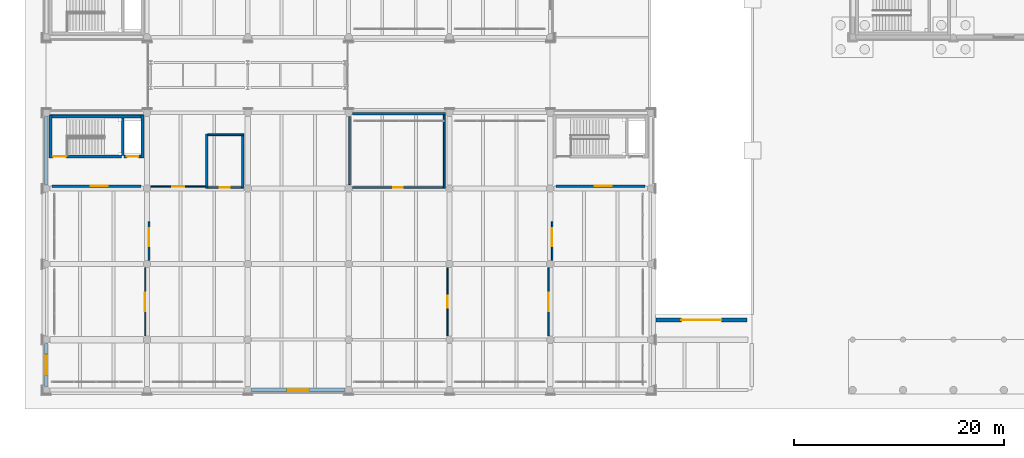
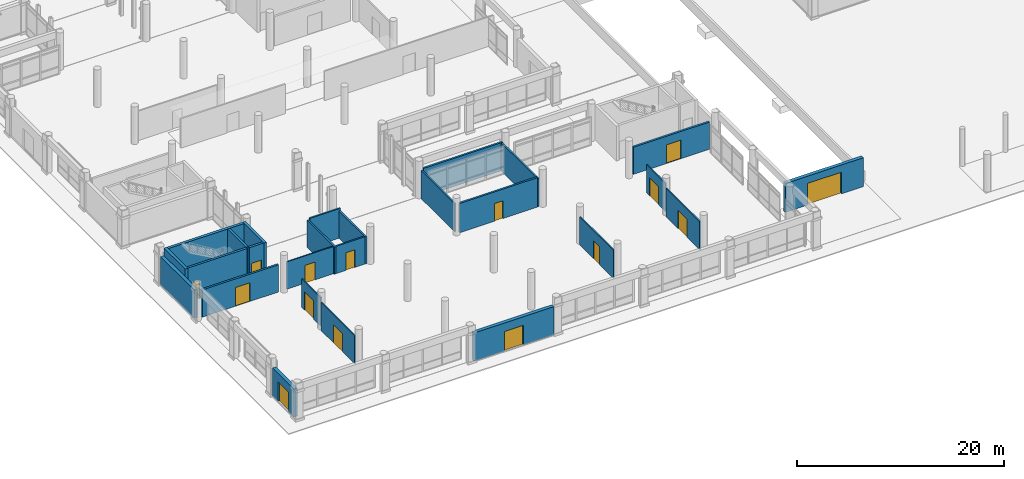
# One storey, part 158 of 196: 27 walls, 15 doors, 15 openings.
"""IFC4 building model written with IfcOpenShell, lengths in metres."""

from ifc_helpers import new_model, si_unit, direction, frame, frame_2d, origin, place, context, subcontext, project, spatial, rectangle, extrude, material, layer, layer_set, type_object, element, fill, save


model = new_model("IFC4")

# Units and contexts
model_context = context("Model", 3, precision=1e-05, world=origin(), true_north=direction((0.0, 1.0)))
body_context = subcontext(model_context, "Body", "Model", "MODEL_VIEW")
ifc_project = project(units=[si_unit("LENGTHUNIT", "METRE"), si_unit("AREAUNIT", "SQUARE_METRE"), si_unit("VOLUMEUNIT", "CUBIC_METRE"), si_unit("PLANEANGLEUNIT", "RADIAN"), si_unit("MASSUNIT", "GRAM", prefix="KILO")], contexts=[model_context])

# Site, building, storey
site_placement = place(None, origin())
site = spatial("IfcSite", under=ifc_project, at=site_placement, CompositionType="ELEMENT")
building_placement = place(site_placement, origin())
building = spatial("IfcBuilding", under=site, at=building_placement, Name="Asteropetra Specialist Clinic", CompositionType="ELEMENT")
storey_placement = place(building_placement, origin())
storey = spatial("IfcBuildingStorey", under=building, at=storey_placement, Name="L00", CompositionType="ELEMENT", Elevation=0.0)

# Wall
ifc_material_1 = material(Name="Pentelic marble ashlar", Category="masonry")
ifc_layer_1 = layer(ifc_material_1, 0.3798828125)
ifc_layer_set_1 = layer_set([ifc_layer_1], Name="Pentelic marble ashlar")
wall_type_1 = type_object("IfcWallType", Name="EW-PENTELIC-380", PredefinedType="SOLIDWALL", material=ifc_layer_set_1)
wall_1_placement = place(storey_placement, frame((9.25, 26.39990234375, 0.0), z_axis=(0.0, 0.0, 1.0), x_axis=(-1.0, 0.0, 0.0)))
element("IfcWall", 1, at=wall_1_placement, inside=storey, type_object=wall_type_1, Name="Exterior Wall EW-0031", PredefinedType="SOLIDWALL", context=body_context, shape_type="SweptSolid", body=[
    extrude(rectangle(XDim=8.89990234375, YDim=0.3798828125, at=frame_2d((4.449951171875, 0.0))), origin(), (0.0, 0.0, 1.0), 3.31005859375),
])

# Wall, opening, door
wall_2_placement = place(storey_placement, frame((19.550048828125, 0.0, 0.0), z_axis=(0.0, 0.0, 1.0), x_axis=(1.0, 0.0, 0.0)))
wall_2 = element("IfcWall", 2, at=wall_2_placement, inside=storey, type_object=wall_type_1, Name="Exterior Wall EW-0032", PredefinedType="SOLIDWALL", context=body_context, shape_type="SweptSolid", body=[
    extrude(rectangle(XDim=8.89990234375, YDim=0.3798828125, at=frame_2d((4.449951171875, 0.0))), origin(), (0.0, 0.0, 1.0), 3.31005859375),
])
opening_1_placement = place(wall_2_placement, frame((3.39990234375, 0.0, 0.0)))
opening_1 = element("IfcOpeningElement", 3, at=opening_1_placement, cuts=wall_2, Name="Opening ED-005", PredefinedType="OPENING", context=body_context, shape_type="SweptSolid", body=[
    extrude(rectangle(XDim=2.10009765625, YDim=2.300048828125, at=frame_2d((1.050048828125, 1.14990234375))), frame((0.0, 0.199951171875, 0.0), z_axis=(0.0, -1.0, 0.0), x_axis=(1.0, 0.0, 0.0)), (0.0, 0.0, 1.0), 0.39990234375),
])
ifc_material_2 = material(Name="Bronze aluminium and safety glass", Category="aluminium")
door_type_1 = type_object("IfcDoorType", Name="EDR-EXIT-2100", OperationType="DOUBLE_DOOR_SINGLE_SWING", PredefinedType="DOOR", material=ifc_material_2)
door_1_placement = place(opening_1_placement, origin())
door_1 = element("IfcDoor", 4, at=door_1_placement, inside=storey, type_object=door_type_1, Name="Exterior Door ED-005", OperationType="DOUBLE_DOOR_SINGLE_SWING", OverallHeight=2.300048828125, OverallWidth=2.10009765625, PredefinedType="DOOR", context=body_context, shape_type="SweptSolid", body=[
    extrude(rectangle(XDim=2.10009765625, YDim=2.300048828125, at=frame_2d((1.050048828125, 1.14990234375))), frame((0.0, 0.02490234375, 0.0), z_axis=(0.0, -1.0, 0.0), x_axis=(1.0, 0.0, 0.0)), (0.0, 0.0, 1.0), 0.050048828125),
])
fill(opening_1, door_1)

wall_3_placement = place(storey_placement, frame((0.0, 4.449951171875, 0.0), z_axis=(0.0, 0.0, 1.0), x_axis=(0.0, -1.0, 0.0)))
wall_3 = element("IfcWall", 5, at=wall_3_placement, inside=storey, type_object=wall_type_1, Name="Exterior Wall EW-0034", PredefinedType="SOLIDWALL", context=body_context, shape_type="SweptSolid", body=[
    extrude(rectangle(XDim=4.099853515625, YDim=0.3798828125, at=frame_2d((2.0498046875, 0.0))), origin(), (0.0, 0.0, 1.0), 3.31005859375),
])
opening_2_placement = place(wall_3_placement, frame((1.050048828125, 0.0, 0.0)))
opening_2 = element("IfcOpeningElement", 6, at=opening_2_placement, cuts=wall_3, Name="Opening ED-006", PredefinedType="OPENING", context=body_context, shape_type="SweptSolid", body=[
    extrude(rectangle(XDim=2.0, YDim=2.300048828125, at=frame_2d((1.0, 1.14990234375))), frame((0.0, 0.199951171875, 0.0), z_axis=(0.0, -1.0, 0.0), x_axis=(1.0, 0.0, 0.0)), (0.0, 0.0, 1.0), 0.39990234375),
])
ifc_material_3 = material(Name="Bronze aluminium and safety glass", Category="aluminium")
door_type_2 = type_object("IfcDoorType", Name="EDR-EXIT-2000", OperationType="DOUBLE_DOOR_SINGLE_SWING", PredefinedType="DOOR", material=ifc_material_3)
door_2_placement = place(opening_2_placement, origin())
door_2 = element("IfcDoor", 7, at=door_2_placement, inside=storey, type_object=door_type_2, Name="Exterior Door ED-006", OperationType="DOUBLE_DOOR_SINGLE_SWING", OverallHeight=2.300048828125, OverallWidth=2.0, PredefinedType="DOOR", context=body_context, shape_type="SweptSolid", body=[
    extrude(rectangle(XDim=2.0, YDim=2.300048828125, at=frame_2d((1.0, 1.14990234375))), frame((0.0, 0.02490234375, 0.0), z_axis=(0.0, -1.0, 0.0), x_axis=(1.0, 0.0, 0.0)), (0.0, 0.0, 1.0), 0.050048828125),
])
fill(opening_2, door_2)

# Wall
wall_4_placement = place(storey_placement, frame((0.0, 26.050048828125, 0.0), z_axis=(0.0, 0.0, 1.0), x_axis=(0.0, -1.0, 0.0)))
element("IfcWall", 8, at=wall_4_placement, inside=storey, type_object=wall_type_1, Name="Exterior Wall EW-0035", PredefinedType="SOLIDWALL", context=body_context, shape_type="SweptSolid", body=[
    extrude(rectangle(XDim=6.5, YDim=0.3798828125, at=frame_2d((3.25, 0.0))), origin(), (0.0, 0.0, 1.0), 3.31005859375),
])

# Wall, opening, door
wall_5_placement = place(storey_placement, frame((58.050048828125, 6.64990234375, 0.0), z_axis=(0.0, 0.0, 1.0), x_axis=(1.0, 0.0, 0.0)))
wall_5 = element("IfcWall", 9, at=wall_5_placement, inside=storey, type_object=wall_type_1, Name="Garage Ramp Portal Wall EW-RMP-01", PredefinedType="SOLIDWALL", context=body_context, shape_type="SweptSolid", body=[
    extrude(rectangle(XDim=8.699951171875, YDim=0.3798828125, at=frame_2d((4.35009765625, 0.0))), origin(), (0.0, 0.0, 1.0), 3.39990234375),
])
opening_3_placement = place(wall_5_placement, frame((2.449951171875, 0.0, 0.0)))
opening_3 = element("IfcOpeningElement", 10, at=opening_3_placement, cuts=wall_5, Name="Opening GD-RMP-01", PredefinedType="OPENING", context=body_context, shape_type="SweptSolid", body=[
    extrude(rectangle(XDim=3.800048828125, YDim=2.550048828125, at=frame_2d((1.89990234375, 1.27490234375))), frame((0.0, 0.199951171875, 0.0), z_axis=(0.0, -1.0, 0.0), x_axis=(1.0, 0.0, 0.0)), (0.0, 0.0, 1.0), 0.39990234375),
])
ifc_material_4 = material(Name="Insulated powder-coated steel shutter", Category="steel")
door_type_3 = type_object("IfcDoorType", Name="EDR-RAMP-3800", OperationType="ROLLINGUP", PredefinedType="GATE", material=ifc_material_4)
door_3_placement = place(opening_3_placement, origin())
door_3 = element("IfcDoor", 11, at=door_3_placement, inside=storey, type_object=door_type_3, Name="Basement Garage Shutter GD-RMP-01", OperationType="ROLLINGUP", OverallHeight=2.550048828125, OverallWidth=3.800048828125, PredefinedType="GATE", context=body_context, shape_type="SweptSolid", body=[
    extrude(rectangle(XDim=3.800048828125, YDim=2.550048828125, at=frame_2d((1.89990234375, 1.27490234375))), frame((0.0, 0.02490234375, 0.0), z_axis=(0.0, -1.0, 0.0), x_axis=(1.0, 0.0, 0.0)), (0.0, 0.0, 1.0), 0.050048828125),
])
fill(opening_3, door_3)

ifc_material_5 = material(Name="Fire-rated masonry and gypsum", Category="masonry")
ifc_layer_2 = layer(ifc_material_5, 0.219970703125)
ifc_layer_set_2 = layer_set([ifc_layer_2], Name="Fire-rated masonry and gypsum")
wall_type_2 = type_object("IfcWallType", Name="W-COMP-220", PredefinedType="PARTITIONING", material=ifc_layer_set_2)
wall_6_placement = place(storey_placement, frame((0.56005859375, 19.419921875, 0.0), z_axis=(0.0, 0.0, 1.0), x_axis=(1.0, 0.0, 0.0)))
wall_6 = element("IfcWall", 12, at=wall_6_placement, inside=storey, type_object=wall_type_2, Name="Core Wall CW-C6-L00-LOB", PredefinedType="PARTITIONING", context=body_context, shape_type="SweptSolid", body=[
    extrude(rectangle(XDim=8.47998046875, YDim=0.219970703125, at=frame_2d((4.239990234375, 0.0))), origin(), (0.0, 0.0, 1.0), 3.2099609375),
])
opening_4_placement = place(wall_6_placement, frame((3.699951171875, 0.0, 0.0)))
opening_4 = element("IfcOpeningElement", 13, at=opening_4_placement, cuts=wall_6, Name="Opening FD-056", PredefinedType="OPENING", context=body_context, shape_type="SweptSolid", body=[
    extrude(rectangle(XDim=1.60009765625, YDim=2.199951171875, at=frame_2d((0.800048828125, 1.10009765625))), frame((0.0, 0.119873046875, 0.0), z_axis=(0.0, -1.0, 0.0), x_axis=(1.0, 0.0, 0.0)), (0.0, 0.0, 1.0), 0.239990234375),
])
ifc_material_6 = material(Name="Fire-rated steel and vision glass door", Category="steel")
door_type_4 = type_object("IfcDoorType", Name="FD-LOBBY-1600", OperationType="DOUBLE_DOOR_SINGLE_SWING", PredefinedType="DOOR", material=ifc_material_6)
door_4_placement = place(opening_4_placement, origin())
door_4 = element("IfcDoor", 14, at=door_4_placement, inside=storey, type_object=door_type_4, Name="Lobby Fire Door FD-056", OperationType="DOUBLE_DOOR_SINGLE_SWING", OverallHeight=2.199951171875, OverallWidth=1.60009765625, PredefinedType="DOOR", context=body_context, shape_type="SweptSolid", body=[
    extrude(rectangle(XDim=1.60009765625, YDim=2.199951171875, at=frame_2d((0.800048828125, 1.10009765625))), frame((0.0, 0.02490234375, 0.0), z_axis=(0.0, -1.0, 0.0), x_axis=(1.0, 0.0, 0.0)), (0.0, 0.0, 1.0), 0.050048828125),
])
fill(opening_4, door_4)

wall_7_placement = place(storey_placement, frame((48.56005859375, 19.419921875, 0.0), z_axis=(0.0, 0.0, 1.0), x_axis=(1.0, 0.0, 0.0)))
wall_7 = element("IfcWall", 15, at=wall_7_placement, inside=storey, type_object=wall_type_2, Name="Core Wall CW-C7-L00-LOB", PredefinedType="PARTITIONING", context=body_context, shape_type="SweptSolid", body=[
    extrude(rectangle(XDim=8.47998046875, YDim=0.219970703125, at=frame_2d((4.239990234375, 0.0))), origin(), (0.0, 0.0, 1.0), 3.2099609375),
])
opening_5_placement = place(wall_7_placement, frame((3.699951171875, 0.0, 0.0)))
opening_5 = element("IfcOpeningElement", 16, at=opening_5_placement, cuts=wall_7, Name="Opening FD-062", PredefinedType="OPENING", context=body_context, shape_type="SweptSolid", body=[
    extrude(rectangle(XDim=1.60009765625, YDim=2.199951171875, at=frame_2d((0.800048828125, 1.10009765625))), frame((0.0, 0.119873046875, 0.0), z_axis=(0.0, -1.0, 0.0), x_axis=(1.0, 0.0, 0.0)), (0.0, 0.0, 1.0), 0.239990234375),
])
door_5_placement = place(opening_5_placement, origin())
door_5 = element("IfcDoor", 17, at=door_5_placement, inside=storey, type_object=door_type_4, Name="Lobby Fire Door FD-062", OperationType="DOUBLE_DOOR_SINGLE_SWING", OverallHeight=2.199951171875, OverallWidth=1.60009765625, PredefinedType="DOOR", context=body_context, shape_type="SweptSolid", body=[
    extrude(rectangle(XDim=1.60009765625, YDim=2.199951171875, at=frame_2d((0.800048828125, 1.10009765625))), frame((0.0, 0.02490234375, 0.0), z_axis=(0.0, -1.0, 0.0), x_axis=(1.0, 0.0, 0.0)), (0.0, 0.0, 1.0), 0.050048828125),
])
fill(opening_5, door_5)

# Walls
ifc_material_7 = material(Name="Concrete C35/45", Category="concrete")
ifc_layer_3 = layer(ifc_material_7, 0.300048828125)
ifc_layer_set_3 = layer_set([ifc_layer_3], Name="Concrete C35/45")
wall_type_3 = type_object("IfcWallType", Name="W-CORE-300", PredefinedType="SHEAR", material=ifc_layer_set_3)
for number, where, z_axis, x_axis, name in (
    (18, (0.419921875, 22.090087890625, 0.0), (0.0, 0.0, 1.0), (0.0, 1.0, 0.0), "Core Wall CW-C6-L00-W"),
    (19, (9.179931640625, 22.090087890625, 0.0), (0.0, 0.0, 1.0), (0.0, 1.0, 0.0), "Core Wall CW-C6-L00-E"),
):
    element("IfcWall", number, at=place(storey_placement, frame(where, z_axis=z_axis, x_axis=x_axis)), inside=storey, type_object=wall_type_3, Name=name, PredefinedType="SHEAR", context=body_context, shape_type="SweptSolid", body=[
        extrude(rectangle(XDim=4.099853515625, YDim=0.300048828125, at=frame_2d((2.0498046875, 0.0))), origin(), (0.0, 0.0, 1.0), 4.080078125),
    ])
wall_8_placement = place(storey_placement, frame((0.56494140625, 26.0400390625, 0.0), z_axis=(0.0, 0.0, 1.0), x_axis=(1.0, 0.0, 0.0)))
element("IfcWall", 20, at=wall_8_placement, inside=storey, type_object=wall_type_3, Name="Core Wall CW-C6-L00-BACK", PredefinedType="SHEAR", context=body_context, shape_type="SweptSolid", body=[
    extrude(rectangle(XDim=8.469970703125, YDim=0.300048828125, at=frame_2d((4.23486328125, 0.0))), origin(), (0.0, 0.0, 1.0), 4.080078125),
])

# Wall, opening, door
ifc_material_8 = material(Name="Light partition", Category="masonry")
ifc_layer_4 = layer(ifc_material_8, 0.1201171875)
ifc_layer_set_4 = layer_set([ifc_layer_4], Name="Light partition")
wall_type_4 = type_object("IfcWallType", Name="W-PART-120", PredefinedType="PARTITIONING", material=ifc_layer_set_4)
wall_9_placement = place(storey_placement, frame((9.419921875, 5.155029296875, 0.0), z_axis=(0.0, 0.0, 1.0), x_axis=(0.0, 1.0, 0.0)))
wall_9 = element("IfcWall", 21, at=wall_9_placement, inside=storey, type_object=wall_type_4, Name="Interior Partition PW-0049", PredefinedType="PARTITIONING", context=body_context, shape_type="SweptSolid", body=[
    extrude(rectangle(XDim=6.489990234375, YDim=0.1201171875, at=frame_2d((3.2451171875, 0.0))), origin(), (0.0, 0.0, 1.0), 3.31005859375),
])
opening_6_placement = place(wall_9_placement, frame((2.3701171875, 0.0, 0.0)))
opening_6 = element("IfcOpeningElement", 22, at=opening_6_placement, cuts=wall_9, Name="Opening ID-0023", PredefinedType="OPENING", context=body_context, shape_type="SweptSolid", body=[
    extrude(rectangle(XDim=1.75, YDim=2.14990234375, at=frame_2d((0.875, 1.074951171875))), frame((0.0, 0.070068359375, 0.0), z_axis=(0.0, -1.0, 0.0), x_axis=(1.0, 0.0, 0.0)), (0.0, 0.0, 1.0), 0.14013671875),
])
ifc_material_9 = material(Name="Antimicrobial laminate timber leaf in steel frame", Category="steel")
door_type_5 = type_object("IfcDoorType", Name="ID-IMG-1750", OperationType="DOUBLE_DOOR_SINGLE_SWING", PredefinedType="DOOR", material=ifc_material_9)
door_6_placement = place(opening_6_placement, origin())
door_6 = element("IfcDoor", 23, at=door_6_placement, inside=storey, type_object=door_type_5, Name="Interior Door ID-0023", OperationType="DOUBLE_DOOR_SINGLE_SWING", OverallHeight=2.14990234375, OverallWidth=1.75, PredefinedType="DOOR", context=body_context, shape_type="SweptSolid", body=[
    extrude(rectangle(XDim=1.75, YDim=2.14990234375, at=frame_2d((0.875, 1.074951171875))), frame((0.0, 0.02490234375, 0.0), z_axis=(0.0, -1.0, 0.0), x_axis=(1.0, 0.0, 0.0)), (0.0, 0.0, 1.0), 0.050048828125),
])
fill(opening_6, door_6)

ifc_material_10 = material(Name="Office and seminar partition", Category="masonry")
ifc_layer_5 = layer(ifc_material_10, 0.1298828125)
ifc_layer_set_5 = layer_set([ifc_layer_5], Name="Office and seminar partition")
wall_type_5 = type_object("IfcWallType", Name="W-PART-130", PredefinedType="PARTITIONING", material=ifc_layer_set_5)
wall_10_placement = place(storey_placement, frame((38.219970703125, 5.155029296875, 0.0), z_axis=(0.0, 0.0, 1.0), x_axis=(0.0, 1.0, 0.0)))
wall_10 = element("IfcWall", 24, at=wall_10_placement, inside=storey, type_object=wall_type_5, Name="Interior Partition PW-0048", PredefinedType="PARTITIONING", context=body_context, shape_type="SweptSolid", body=[
    extrude(rectangle(XDim=6.489990234375, YDim=0.1298828125, at=frame_2d((3.2451171875, 0.0))), origin(), (0.0, 0.0, 1.0), 3.31005859375),
])
opening_7_placement = place(wall_10_placement, frame((2.669921875, 0.0, 0.0)))
opening_7 = element("IfcOpeningElement", 25, at=opening_7_placement, cuts=wall_10, Name="Opening ID-0022", PredefinedType="OPENING", context=body_context, shape_type="SweptSolid", body=[
    extrude(rectangle(XDim=1.14990234375, YDim=2.10009765625, at=frame_2d((0.574951171875, 1.050048828125))), frame((0.0, 0.074951171875, 0.0), z_axis=(0.0, -1.0, 0.0), x_axis=(1.0, 0.0, 0.0)), (0.0, 0.0, 1.0), 0.14990234375),
])
ifc_material_11 = material(Name="Antimicrobial laminate timber leaf in steel frame", Category="steel")
door_type_6 = type_object("IfcDoorType", Name="ID-CONS-1150", OperationType="SINGLE_SWING_LEFT", PredefinedType="DOOR", material=ifc_material_11)
door_7_placement = place(opening_7_placement, origin())
door_7 = element("IfcDoor", 26, at=door_7_placement, inside=storey, type_object=door_type_6, Name="Interior Door ID-0022", OperationType="SINGLE_SWING_LEFT", OverallHeight=2.10009765625, OverallWidth=1.14990234375, PredefinedType="DOOR", context=body_context, shape_type="SweptSolid", body=[
    extrude(rectangle(XDim=1.14990234375, YDim=2.10009765625, at=frame_2d((0.574951171875, 1.050048828125))), frame((0.0, 0.02490234375, 0.0), z_axis=(0.0, -1.0, 0.0), x_axis=(1.0, 0.0, 0.0)), (0.0, 0.0, 1.0), 0.050048828125),
])
fill(opening_7, door_7)

wall_11_placement = place(storey_placement, frame((9.955078125, 19.3798828125, 0.0), z_axis=(0.0, 0.0, 1.0), x_axis=(1.0, 0.0, 0.0)))
wall_11 = element("IfcWall", 27, at=wall_11_placement, inside=storey, type_object=wall_type_5, Name="Interior Partition PW-0053", PredefinedType="PARTITIONING", context=body_context, shape_type="SweptSolid", body=[
    extrude(rectangle(XDim=5.23291015625, YDim=0.1298828125, at=frame_2d((2.616455078125, 0.0))), origin(), (0.0, 0.0, 1.0), 3.2099609375),
])
opening_8_placement = place(wall_11_placement, frame((2.056396484375, 0.0, 0.0)))
opening_8 = element("IfcOpeningElement", 28, at=opening_8_placement, cuts=wall_11, Name="Opening ID-0027", PredefinedType="OPENING", context=body_context, shape_type="SweptSolid", body=[
    extrude(rectangle(XDim=1.1201171875, YDim=2.10009765625, at=frame_2d((0.56005859375, 1.050048828125))), frame((0.0, 0.074951171875, 0.0), z_axis=(0.0, -1.0, 0.0), x_axis=(1.0, 0.0, 0.0)), (0.0, 0.0, 1.0), 0.14990234375),
])
ifc_material_12 = material(Name="Antimicrobial laminate timber leaf in steel frame", Category="steel")
door_type_7 = type_object("IfcDoorType", Name="ID-EXAM-1120", OperationType="SINGLE_SWING_RIGHT", PredefinedType="DOOR", material=ifc_material_12)
door_8_placement = place(opening_8_placement, origin())
door_8 = element("IfcDoor", 29, at=door_8_placement, inside=storey, type_object=door_type_7, Name="Interior Door ID-0027", OperationType="SINGLE_SWING_RIGHT", OverallHeight=2.10009765625, OverallWidth=1.1201171875, PredefinedType="DOOR", context=body_context, shape_type="SweptSolid", body=[
    extrude(rectangle(XDim=1.1201171875, YDim=2.10009765625, at=frame_2d((0.56005859375, 1.050048828125))), frame((0.0, 0.02490234375, 0.0), z_axis=(0.0, -1.0, 0.0), x_axis=(1.0, 0.0, 0.0)), (0.0, 0.0, 1.0), 0.050048828125),
])
fill(opening_8, door_8)

ifc_material_13 = material(Name="Laboratory partition", Category="masonry")
ifc_layer_6 = layer(ifc_material_13, 0.139892578125)
ifc_layer_set_6 = layer_set([ifc_layer_6], Name="Laboratory partition")
wall_type_6 = type_object("IfcWallType", Name="W-PART-140", PredefinedType="PARTITIONING", material=ifc_layer_set_6)
wall_12_placement = place(storey_placement, frame((48.179931640625, 12.35498046875, 0.0), z_axis=(0.0, 0.0, 1.0), x_axis=(0.0, 1.0, 0.0)))
wall_12 = element("IfcWall", 30, at=wall_12_placement, inside=storey, type_object=wall_type_6, Name="Interior Partition PW-0052", PredefinedType="PARTITIONING", context=body_context, shape_type="SweptSolid", body=[
    extrude(rectangle(XDim=3.6650390625, YDim=0.139892578125, at=frame_2d((1.83251953125, 0.0))), origin(), (0.0, 0.0, 1.0), 3.31005859375),
])
opening_9_placement = place(wall_12_placement, frame((1.323974609375, 0.0, 0.0)))
opening_9 = element("IfcOpeningElement", 31, at=opening_9_placement, cuts=wall_12, Name="Opening ID-0026", PredefinedType="OPENING", context=body_context, shape_type="SweptSolid", body=[
    extrude(rectangle(XDim=1.75, YDim=2.14990234375, at=frame_2d((0.875, 1.074951171875))), frame((0.0, 0.079833984375, 0.0), z_axis=(0.0, -1.0, 0.0), x_axis=(1.0, 0.0, 0.0)), (0.0, 0.0, 1.0), 0.159912109375),
])
door_9_placement = place(opening_9_placement, origin())
door_9 = element("IfcDoor", 32, at=door_9_placement, inside=storey, type_object=door_type_5, Name="Interior Door ID-0026", OperationType="DOUBLE_DOOR_SINGLE_SWING", OverallHeight=2.14990234375, OverallWidth=1.75, PredefinedType="DOOR", context=body_context, shape_type="SweptSolid", body=[
    extrude(rectangle(XDim=1.75, YDim=2.14990234375, at=frame_2d((0.875, 1.074951171875))), frame((0.0, 0.02490234375, 0.0), z_axis=(0.0, -1.0, 0.0), x_axis=(1.0, 0.0, 0.0)), (0.0, 0.0, 1.0), 0.050048828125),
])
fill(opening_9, door_9)

ifc_material_14 = material(Name="Clinical consulting partition", Category="masonry")
ifc_layer_7 = layer(ifc_material_14, 0.14990234375)
ifc_layer_set_7 = layer_set([ifc_layer_7], Name="Clinical consulting partition")
wall_type_7 = type_object("IfcWallType", Name="W-PART-150", PredefinedType="PARTITIONING", material=ifc_layer_set_7)
wall_13_placement = place(storey_placement, frame((47.820068359375, 5.155029296875, 0.0), z_axis=(0.0, 0.0, 1.0), x_axis=(0.0, 1.0, 0.0)))
wall_13 = element("IfcWall", 33, at=wall_13_placement, inside=storey, type_object=wall_type_7, Name="Interior Partition PW-0051", PredefinedType="PARTITIONING", context=body_context, shape_type="SweptSolid", body=[
    extrude(rectangle(XDim=6.489990234375, YDim=0.14990234375, at=frame_2d((3.2451171875, 0.0))), origin(), (0.0, 0.0, 1.0), 3.31005859375),
])
opening_10_placement = place(wall_13_placement, frame((2.3701171875, 0.0, 0.0)))
opening_10 = element("IfcOpeningElement", 34, at=opening_10_placement, cuts=wall_13, Name="Opening ID-0025", PredefinedType="OPENING", context=body_context, shape_type="SweptSolid", body=[
    extrude(rectangle(XDim=1.75, YDim=2.14990234375, at=frame_2d((0.875, 1.074951171875))), frame((0.0, 0.0849609375, 0.0), z_axis=(0.0, -1.0, 0.0), x_axis=(1.0, 0.0, 0.0)), (0.0, 0.0, 1.0), 0.169921875),
])
door_10_placement = place(opening_10_placement, origin())
door_10 = element("IfcDoor", 35, at=door_10_placement, inside=storey, type_object=door_type_5, Name="Interior Door ID-0025", OperationType="DOUBLE_DOOR_SINGLE_SWING", OverallHeight=2.14990234375, OverallWidth=1.75, PredefinedType="DOOR", context=body_context, shape_type="SweptSolid", body=[
    extrude(rectangle(XDim=1.75, YDim=2.14990234375, at=frame_2d((0.875, 1.074951171875))), frame((0.0, 0.02490234375, 0.0), z_axis=(0.0, -1.0, 0.0), x_axis=(1.0, 0.0, 0.0)), (0.0, 0.0, 1.0), 0.050048828125),
])
fill(opening_10, door_10)

ifc_material_15 = material(Name="Acoustic clinical stud partition", Category="masonry")
ifc_layer_8 = layer(ifc_material_15, 0.159912109375)
ifc_layer_set_8 = layer_set([ifc_layer_8], Name="Acoustic clinical stud partition")
wall_type_8 = type_object("IfcWallType", Name="W-PART-160", PredefinedType="PARTITIONING", material=ifc_layer_set_8)
wall_14_placement = place(storey_placement, frame((9.780029296875, 12.35498046875, 0.0), z_axis=(0.0, 0.0, 1.0), x_axis=(0.0, 1.0, 0.0)))
wall_14 = element("IfcWall", 36, at=wall_14_placement, inside=storey, type_object=wall_type_8, Name="Interior Partition PW-0050", PredefinedType="PARTITIONING", context=body_context, shape_type="SweptSolid", body=[
    extrude(rectangle(XDim=3.6650390625, YDim=0.159912109375, at=frame_2d((1.83251953125, 0.0))), origin(), (0.0, 0.0, 1.0), 3.31005859375),
])
opening_11_placement = place(wall_14_placement, frame((1.323974609375, 0.0, 0.0)))
opening_11 = element("IfcOpeningElement", 37, at=opening_11_placement, cuts=wall_14, Name="Opening ID-0024", PredefinedType="OPENING", context=body_context, shape_type="SweptSolid", body=[
    extrude(rectangle(XDim=1.75, YDim=2.14990234375, at=frame_2d((0.875, 1.074951171875))), frame((0.0, 0.08984375, 0.0), z_axis=(0.0, -1.0, 0.0), x_axis=(1.0, 0.0, 0.0)), (0.0, 0.0, 1.0), 0.179931640625),
])
door_11_placement = place(opening_11_placement, origin())
door_11 = element("IfcDoor", 38, at=door_11_placement, inside=storey, type_object=door_type_5, Name="Interior Door ID-0024", OperationType="DOUBLE_DOOR_SINGLE_SWING", OverallHeight=2.14990234375, OverallWidth=1.75, PredefinedType="DOOR", context=body_context, shape_type="SweptSolid", body=[
    extrude(rectangle(XDim=1.75, YDim=2.14990234375, at=frame_2d((0.875, 1.074951171875))), frame((0.0, 0.02490234375, 0.0), z_axis=(0.0, -1.0, 0.0), x_axis=(1.0, 0.0, 0.0)), (0.0, 0.0, 1.0), 0.050048828125),
])
fill(opening_11, door_11)

# Wall
ifc_material_16 = material(Name="En-suite plumbing wall", Category="masonry")
ifc_layer_9 = layer(ifc_material_16, 0.169921875)
ifc_layer_set_9 = layer_set([ifc_layer_9], Name="En-suite plumbing wall")
wall_type_9 = type_object("IfcWallType", Name="W-PLUMB-170", PredefinedType="PLUMBINGWALL", material=ifc_layer_set_9)
wall_15_placement = place(storey_placement, frame((15.39208984375, 24.31005859375, 0.0), z_axis=(0.0, 0.0, 1.0), x_axis=(1.0, 0.0, 0.0)))
element("IfcWall", 39, at=wall_15_placement, inside=storey, type_object=wall_type_9, Name="Interior Partition PW-0021", PredefinedType="PLUMBINGWALL", context=body_context, shape_type="SweptSolid", body=[
    extrude(rectangle(XDim=3.412841796875, YDim=0.169921875, at=frame_2d((1.70654296875, 0.0))), origin(), (0.0, 0.0, 1.0), 3.4599609375),
])

# Wall, opening, door
wall_16_placement = place(storey_placement, frame((15.39208984375, 19.2900390625, 0.0), z_axis=(0.0, 0.0, 1.0), x_axis=(1.0, 0.0, 0.0)))
wall_16 = element("IfcWall", 40, at=wall_16_placement, inside=storey, type_object=wall_type_9, Name="Interior Partition PW-0023", PredefinedType="PLUMBINGWALL", context=body_context, shape_type="SweptSolid", body=[
    extrude(rectangle(XDim=3.2158203125, YDim=0.169921875, at=frame_2d((1.60791015625, 0.0))), origin(), (0.0, 0.0, 1.0), 3.2099609375),
])
opening_12_placement = place(wall_16_placement, frame((1.117919921875, 0.0, 0.0)))
opening_12 = element("IfcOpeningElement", 41, at=opening_12_placement, cuts=wall_16, Name="Opening ID-0010", PredefinedType="OPENING", context=body_context, shape_type="SweptSolid", body=[
    extrude(rectangle(XDim=0.97998046875, YDim=2.080078125, at=frame_2d((0.489990234375, 1.0400390625))), frame((0.0, 0.094970703125, 0.0), z_axis=(0.0, -1.0, 0.0), x_axis=(1.0, 0.0, 0.0)), (0.0, 0.0, 1.0), 0.18994140625),
])
ifc_material_17 = material(Name="Antimicrobial laminate timber leaf in steel frame", Category="steel")
door_type_8 = type_object("IfcDoorType", Name="ID-AWC-0980", OperationType="NOTDEFINED", PredefinedType="DOOR", material=ifc_material_17)
door_12_placement = place(opening_12_placement, origin())
door_12 = element("IfcDoor", 42, at=door_12_placement, inside=storey, type_object=door_type_8, Name="Interior Door ID-0010", OperationType="SINGLE_SWING_RIGHT", OverallHeight=2.080078125, OverallWidth=0.97998046875, PredefinedType="DOOR", context=body_context, shape_type="SweptSolid", body=[
    extrude(rectangle(XDim=0.97998046875, YDim=2.080078125, at=frame_2d((0.489990234375, 1.0400390625))), frame((0.0, 0.02490234375, 0.0), z_axis=(0.0, -1.0, 0.0), x_axis=(1.0, 0.0, 0.0)), (0.0, 0.0, 1.0), 0.050048828125),
])
fill(opening_12, door_12)

# Walls
wall_17_placement = place(storey_placement, frame((37.909912109375, 19.195068359375, 0.0), z_axis=(0.0, 0.0, 1.0), x_axis=(0.0, 1.0, 0.0)))
element("IfcWall", 43, at=wall_17_placement, inside=storey, type_object=wall_type_9, Name="Interior Partition PW-0025", PredefinedType="PLUMBINGWALL", context=body_context, shape_type="SweptSolid", body=[
    extrude(rectangle(XDim=7.012939453125, YDim=0.169921875, at=frame_2d((3.50634765625, 0.0))), origin(), (0.0, 0.0, 1.0), 3.31005859375),
])
wall_18_placement = place(storey_placement, frame((28.889892578125, 19.554931640625, 0.0), z_axis=(0.0, 0.0, 1.0), x_axis=(0.0, 1.0, 0.0)))
element("IfcWall", 44, at=wall_18_placement, inside=storey, type_object=wall_type_9, Name="Interior Partition PW-0027", PredefinedType="PLUMBINGWALL", context=body_context, shape_type="SweptSolid", body=[
    extrude(rectangle(XDim=6.489990234375, YDim=0.169921875, at=frame_2d((3.2451171875, 0.0))), origin(), (0.0, 0.0, 1.0), 3.31005859375),
])
ifc_material_18 = material(Name="Sanitary service-chase wall", Category="masonry")
ifc_layer_10 = layer(ifc_material_18, 0.199951171875)
ifc_layer_set_10 = layer_set([ifc_layer_10], Name="Sanitary service-chase wall")
wall_type_10 = type_object("IfcWallType", Name="W-PLUMB-200", PredefinedType="PLUMBINGWALL", material=ifc_layer_set_10)
wall_19_placement = place(storey_placement, frame((15.2900390625, 19.195068359375, 0.0), z_axis=(0.0, 0.0, 1.0), x_axis=(0.0, 1.0, 0.0)))
element("IfcWall", 45, at=wall_19_placement, inside=storey, type_object=wall_type_10, Name="Interior Partition PW-0020", PredefinedType="PLUMBINGWALL", context=body_context, shape_type="SweptSolid", body=[
    extrude(rectangle(XDim=5.2099609375, YDim=0.199951171875, at=frame_2d((2.60498046875, 0.0))), origin(), (0.0, 0.0, 1.0), 3.2099609375),
])
wall_20_placement = place(storey_placement, frame((18.7099609375, 19.195068359375, 0.0), z_axis=(0.0, 0.0, 1.0), x_axis=(0.0, 1.0, 0.0)))
element("IfcWall", 46, at=wall_20_placement, inside=storey, type_object=wall_type_10, Name="Interior Partition PW-0022", PredefinedType="PLUMBINGWALL", context=body_context, shape_type="SweptSolid", body=[
    extrude(rectangle(XDim=5.02783203125, YDim=0.199951171875, at=frame_2d((2.513916015625, 0.0))), origin(), (0.0, 0.0, 1.0), 3.2099609375),
])
wall_21_placement = place(storey_placement, frame((29.155029296875, 26.31005859375, 0.0), z_axis=(0.0, 0.0, 1.0), x_axis=(1.0, 0.0, 0.0)))
element("IfcWall", 47, at=wall_21_placement, inside=storey, type_object=wall_type_10, Name="Interior Partition PW-0024", PredefinedType="PLUMBINGWALL", context=body_context, shape_type="SweptSolid", body=[
    extrude(rectangle(XDim=8.849853515625, YDim=0.199951171875, at=frame_2d((4.4248046875, 0.0))), origin(), (0.0, 0.0, 1.0), 3.31005859375),
])

# Wall, opening, door
wall_22_placement = place(storey_placement, frame((29.155029296875, 19.2900390625, 0.0), z_axis=(0.0, 0.0, 1.0), x_axis=(1.0, 0.0, 0.0)))
wall_22 = element("IfcWall", 48, at=wall_22_placement, inside=storey, type_object=wall_type_10, Name="Interior Partition PW-0026", PredefinedType="PLUMBINGWALL", context=body_context, shape_type="SweptSolid", body=[
    extrude(rectangle(XDim=8.66796875, YDim=0.199951171875, at=frame_2d((4.333984375, 0.0))), origin(), (0.0, 0.0, 1.0), 3.4599609375),
])
opening_13_placement = place(wall_22_placement, frame((3.8740234375, 0.0, 0.0)))
opening_13 = element("IfcOpeningElement", 49, at=opening_13_placement, cuts=wall_22, Name="Opening ID-0011", PredefinedType="OPENING", context=body_context, shape_type="SweptSolid", body=[
    extrude(rectangle(XDim=0.919921875, YDim=2.080078125, at=frame_2d((0.4599609375, 1.0400390625))), frame((0.0, 0.10986328125, 0.0), z_axis=(0.0, -1.0, 0.0), x_axis=(1.0, 0.0, 0.0)), (0.0, 0.0, 1.0), 0.219970703125),
])
ifc_material_19 = material(Name="Antimicrobial laminate timber leaf in steel frame", Category="steel")
door_type_9 = type_object("IfcDoorType", Name="ID-WC-0920", OperationType="NOTDEFINED", PredefinedType="DOOR", material=ifc_material_19)
door_13_placement = place(opening_13_placement, origin())
door_13 = element("IfcDoor", 50, at=door_13_placement, inside=storey, type_object=door_type_9, Name="Interior Door ID-0011", OperationType="SINGLE_SWING_LEFT", OverallHeight=2.080078125, OverallWidth=0.919921875, PredefinedType="DOOR", context=body_context, shape_type="SweptSolid", body=[
    extrude(rectangle(XDim=0.919921875, YDim=2.080078125, at=frame_2d((0.4599609375, 1.0400390625))), frame((0.0, 0.02490234375, 0.0), z_axis=(0.0, -1.0, 0.0), x_axis=(1.0, 0.0, 0.0)), (0.0, 0.0, 1.0), 0.050048828125),
])
fill(opening_13, door_13)

# Wall
ifc_material_20 = material(Name="Concrete C35/45", Category="concrete")
ifc_layer_11 = layer(ifc_material_20, 0.25)
ifc_layer_set_11 = layer_set([ifc_layer_11], Name="Concrete C35/45")
wall_type_11 = type_object("IfcWallType", Name="W-SHAFT-250", PredefinedType="SHEAR", material=ifc_layer_set_11)
wall_23_placement = place(storey_placement, frame((7.300048828125, 22.360107421875, 0.0), z_axis=(0.0, 0.0, 1.0), x_axis=(0.0, 1.0, 0.0)))
element("IfcWall", 51, at=wall_23_placement, inside=storey, type_object=wall_type_11, Name="Core Wall CW-C6-L00-MID", PredefinedType="SHEAR", context=body_context, shape_type="SweptSolid", body=[
    extrude(rectangle(XDim=3.52978515625, YDim=0.25, at=frame_2d((1.764892578125, 0.0))), origin(), (0.0, 0.0, 1.0), 4.080078125),
])

# Wall, opening, door
wall_24_placement = place(storey_placement, frame((0.56494140625, 22.239990234375, 0.0), z_axis=(0.0, 0.0, 1.0), x_axis=(1.0, 0.0, 0.0)))
wall_24 = element("IfcWall", 52, at=wall_24_placement, inside=storey, type_object=wall_type_11, Name="Core Wall CW-C6-L00-STDIV", PredefinedType="SHEAR", context=body_context, shape_type="SweptSolid", body=[
    extrude(rectangle(XDim=6.614990234375, YDim=0.25, at=frame_2d((3.3076171875, 0.0))), origin(), (0.0, 0.0, 1.0), 4.080078125),
])
opening_14_placement = place(wall_24_placement, frame((0.080078125, 0.0, 0.0)))
opening_14 = element("IfcOpeningElement", 53, at=opening_14_placement, cuts=wall_24, Name="Opening FD-055", PredefinedType="OPENING", context=body_context, shape_type="SweptSolid", body=[
    extrude(rectangle(XDim=1.239990234375, YDim=2.14990234375, at=frame_2d((0.6201171875, 1.074951171875))), frame((0.0, 0.135009765625, 0.0), z_axis=(0.0, -1.0, 0.0), x_axis=(1.0, 0.0, 0.0)), (0.0, 0.0, 1.0), 0.27001953125),
])
ifc_material_21 = material(Name="Fire-rated steel and vision glass door", Category="steel")
door_type_10 = type_object("IfcDoorType", Name="FD-STAIR-1400", OperationType="DOUBLE_DOOR_SINGLE_SWING", PredefinedType="DOOR", material=ifc_material_21)
door_14_placement = place(opening_14_placement, origin())
door_14 = element("IfcDoor", 54, at=door_14_placement, inside=storey, type_object=door_type_10, Name="Stair Fire Door FD-055", OperationType="DOUBLE_DOOR_SINGLE_SWING", OverallHeight=2.14990234375, OverallWidth=1.239990234375, PredefinedType="DOOR", context=body_context, shape_type="SweptSolid", body=[
    extrude(rectangle(XDim=1.239990234375, YDim=2.14990234375, at=frame_2d((0.6201171875, 1.074951171875))), frame((0.0, 0.02490234375, 0.0), z_axis=(0.0, -1.0, 0.0), x_axis=(1.0, 0.0, 0.0)), (0.0, 0.0, 1.0), 0.050048828125),
])
fill(opening_14, door_14)

wall_25_placement = place(storey_placement, frame((7.419921875, 22.239990234375, 0.0), z_axis=(0.0, 0.0, 1.0), x_axis=(1.0, 0.0, 0.0)))
wall_25 = element("IfcWall", 55, at=wall_25_placement, inside=storey, type_object=wall_type_11, Name="Lift Shaft Front Wall CW-C6-L00-LFTF", PredefinedType="SHEAR", context=body_context, shape_type="SweptSolid", body=[
    extrude(rectangle(XDim=1.614990234375, YDim=0.25, at=frame_2d((0.8076171875, 0.0))), origin(), (0.0, 0.0, 1.0), 4.080078125),
])
opening_15_placement = place(wall_25_placement, frame((0.257568359375, 0.0, 0.0)))
opening_15 = element("IfcOpeningElement", 56, at=opening_15_placement, cuts=wall_25, Name="Opening LD-028", PredefinedType="OPENING", context=body_context, shape_type="SweptSolid", body=[
    extrude(rectangle(XDim=1.10009765625, YDim=2.14990234375, at=frame_2d((0.550048828125, 1.074951171875))), frame((0.0, 0.135009765625, 0.0), z_axis=(0.0, -1.0, 0.0), x_axis=(1.0, 0.0, 0.0)), (0.0, 0.0, 1.0), 0.27001953125),
])
ifc_material_22 = material(Name="Brushed stainless steel sliding lift landing door", Category="steel")
door_type_11 = type_object("IfcDoorType", Name="LD-PASS-1100", OperationType="DOUBLE_DOOR_SLIDING", PredefinedType="DOOR", material=ifc_material_22)
door_15_placement = place(opening_15_placement, origin())
door_15 = element("IfcDoor", 57, at=door_15_placement, inside=storey, type_object=door_type_11, Name="Lift Landing Door LD-028", OperationType="DOUBLE_DOOR_SLIDING", OverallHeight=2.14990234375, OverallWidth=1.10009765625, PredefinedType="DOOR", context=body_context, shape_type="SweptSolid", body=[
    extrude(rectangle(XDim=1.10009765625, YDim=2.14990234375, at=frame_2d((0.550048828125, 1.074951171875))), frame((0.0, 0.02490234375, 0.0), z_axis=(0.0, -1.0, 0.0), x_axis=(1.0, 0.0, 0.0)), (0.0, 0.0, 1.0), 0.050048828125),
])
fill(opening_15, door_15)

save(model, "model.ifc")
